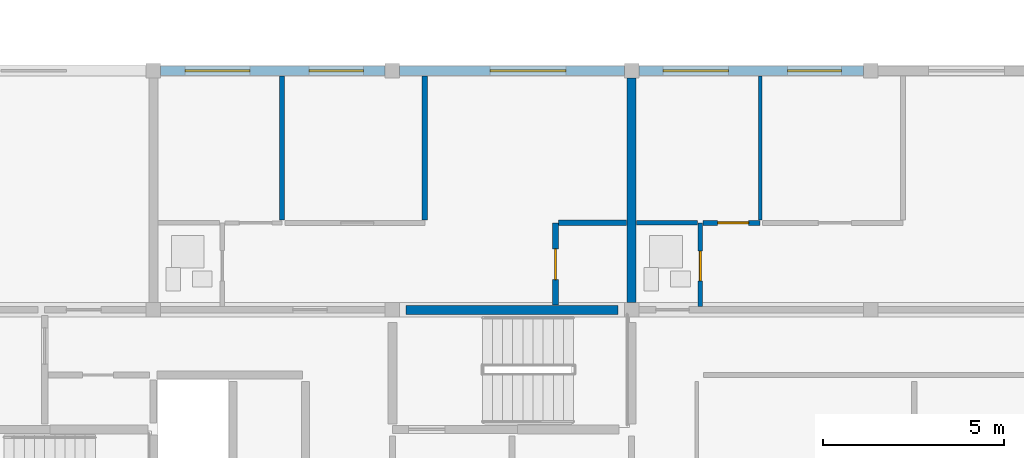
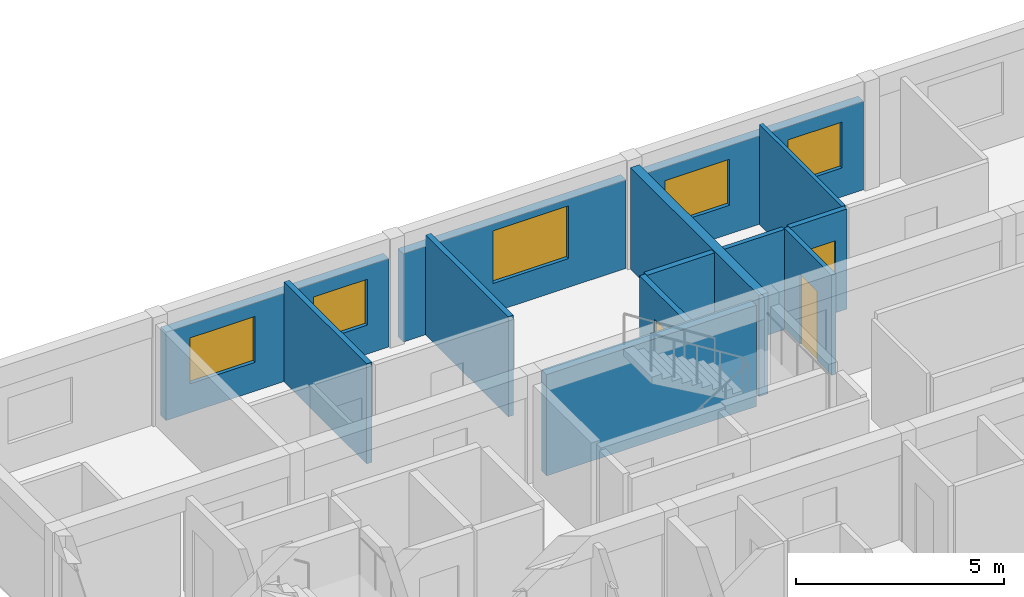
# One storey, part 26 of 34: 13 walls, 5 windows, 3 doors, 8 openings.
"""IFC4 building model written with IfcOpenShell, lengths in metres."""

from ifc_helpers import new_model, si_unit, direction, frame, frame_2d, origin, place, context, subcontext, project, spatial, rectangle, extrude, material, layer, layer_set, type_object, element, fill, save


model = new_model("IFC4")

# Units and contexts
model_context = context("Model", 3, precision=1e-05, world=origin(), true_north=direction((0.0, 1.0)))
body_context = subcontext(model_context, "Body", "Model", "MODEL_VIEW")
ifc_project = project(units=[si_unit("LENGTHUNIT", "METRE"), si_unit("AREAUNIT", "SQUARE_METRE"), si_unit("VOLUMEUNIT", "CUBIC_METRE"), si_unit("PLANEANGLEUNIT", "RADIAN"), si_unit("MASSUNIT", "GRAM", prefix="KILO")], contexts=[model_context])

# Site, building, storey
site_placement = place(None, origin())
site = spatial("IfcSite", under=ifc_project, at=site_placement, CompositionType="ELEMENT")
building_placement = place(site_placement, origin())
building = spatial("IfcBuilding", under=site, at=building_placement, Name="Kernevlak Ridge Housing Community", CompositionType="ELEMENT")
storey_placement = place(building_placement, frame((0.0, 0.0, 40.39990234375)))
storey = spatial("IfcBuildingStorey", under=building, at=storey_placement, Name="L12", CompositionType="ELEMENT", Elevation=40.39990234375)

# Wall, openings, windows
ifc_material_1 = material(Name="Concrete block masonry M10", Category="masonry")
ifc_layer_1 = layer(ifc_material_1, 0.260009765625, Name="Concrete block masonry M10")
ifc_layer_set_1 = layer_set([ifc_layer_1], Name="Concrete block masonry M10")
wall_type_1 = type_object("IfcWallType", Name="EW-05", PredefinedType="STANDARD", material=ifc_layer_set_1)
wall_1_placement = place(storey_placement, frame((126.199951171875, 102.39990234375, 0.0), z_axis=(0.0, 0.0, 1.0), x_axis=(1.0, 0.0, 0.0)))
wall_1 = element("IfcWall", 1, at=wall_1_placement, inside=storey, type_object=wall_type_1, Name="Exterior wall EW-05 L12 489", PredefinedType="STANDARD", context=body_context, shape_type="SweptSolid", body=[
    extrude(rectangle(XDim=6.199951171875, YDim=0.260009765625, at=frame_2d((3.10009765625, 0.0))), origin(), (0.0, 0.0, 1.0), 2.60009765625),
])
opening_1_placement = place(wall_1_placement, frame((0.675048828125, 0.0, 0.85009765625)))
opening_1 = element("IfcOpeningElement", 2, at=opening_1_placement, cuts=wall_1, Name="Opening WT-03", PredefinedType="OPENING", context=body_context, shape_type="SweptSolid", body=[
    extrude(rectangle(XDim=1.800048828125, YDim=1.35009765625, at=frame_2d((0.89990234375, 0.675048828125))), frame((0.0, 0.139892578125, 0.0), z_axis=(0.0, -1.0, 0.0), x_axis=(1.0, 0.0, 0.0)), (0.0, 0.0, 1.0), 0.280029296875),
])
opening_2_placement = place(wall_1_placement, frame((4.10009765625, 0.0, 0.85009765625)))
opening_2 = element("IfcOpeningElement", 3, at=opening_2_placement, cuts=wall_1, Name="Opening WT-02", PredefinedType="OPENING", context=body_context, shape_type="SweptSolid", body=[
    extrude(rectangle(XDim=1.5, YDim=1.35009765625, at=frame_2d((0.75, 0.675048828125))), frame((0.0, 0.139892578125, 0.0), z_axis=(0.0, -1.0, 0.0), x_axis=(1.0, 0.0, 0.0)), (0.0, 0.0, 1.0), 0.280029296875),
])
ifc_material_2 = material(Name="Aluminium EN AW-6060 anodised and laminated glass", Category="aluminium")
window_type_1 = type_object("IfcWindowType", Name="WT-02", PartitioningType="SINGLE_PANEL", PredefinedType="WINDOW", material=ifc_material_2)
window_1_placement = place(opening_2_placement, origin())
window_1 = element("IfcWindow", 4, at=window_1_placement, inside=storey, type_object=window_type_1, Name="Window WT-02 L12 382", OverallHeight=1.35009765625, OverallWidth=1.5, PartitioningType="SINGLE_PANEL", PredefinedType="WINDOW", context=body_context, shape_type="SweptSolid", body=[
    extrude(rectangle(XDim=1.5, YDim=1.35009765625, at=frame_2d((0.75, 0.675048828125))), frame((0.0, 0.030029296875, 0.0), z_axis=(0.0, -1.0, 0.0), x_axis=(1.0, 0.0, 0.0)), (0.0, 0.0, 1.0), 0.06005859375),
])
fill(opening_2, window_1)
window_type_2 = type_object("IfcWindowType", Name="WT-03", PartitioningType="SINGLE_PANEL", PredefinedType="WINDOW", material=ifc_material_2)
window_2_placement = place(opening_1_placement, origin())
window_2 = element("IfcWindow", 5, at=window_2_placement, inside=storey, type_object=window_type_2, Name="Window WT-03 L12 381", OverallHeight=1.35009765625, OverallWidth=1.800048828125, PartitioningType="SINGLE_PANEL", PredefinedType="WINDOW", context=body_context, shape_type="SweptSolid", body=[
    extrude(rectangle(XDim=1.800048828125, YDim=1.35009765625, at=frame_2d((0.89990234375, 0.675048828125))), frame((0.0, 0.030029296875, 0.0), z_axis=(0.0, -1.0, 0.0), x_axis=(1.0, 0.0, 0.0)), (0.0, 0.0, 1.0), 0.06005859375),
])
fill(opening_1, window_2)

# Wall, opening, window
wall_2_placement = place(storey_placement, frame((132.800048828125, 102.39990234375, 0.0), z_axis=(0.0, 0.0, 1.0), x_axis=(1.0, 0.0, 0.0)))
wall_2 = element("IfcWall", 6, at=wall_2_placement, inside=storey, type_object=wall_type_1, Name="Exterior wall EW-05 L12 490", PredefinedType="STANDARD", context=body_context, shape_type="SweptSolid", body=[
    extrude(rectangle(XDim=6.199951171875, YDim=0.260009765625, at=frame_2d((3.10009765625, 0.0))), origin(), (0.0, 0.0, 1.0), 2.60009765625),
])
opening_3_placement = place(wall_2_placement, frame((2.49609375, 0.0, 0.85009765625)))
opening_3 = element("IfcOpeningElement", 7, at=opening_3_placement, cuts=wall_2, Name="Opening WT-05", PredefinedType="OPENING", context=body_context, shape_type="SweptSolid", body=[
    extrude(rectangle(XDim=2.10009765625, YDim=1.550048828125, at=frame_2d((1.050048828125, 0.77490234375))), frame((0.0, 0.139892578125, 0.0), z_axis=(0.0, -1.0, 0.0), x_axis=(1.0, 0.0, 0.0)), (0.0, 0.0, 1.0), 0.280029296875),
])
window_type_3 = type_object("IfcWindowType", Name="WT-05", PartitioningType="SINGLE_PANEL", PredefinedType="WINDOW", material=ifc_material_2)
window_3_placement = place(opening_3_placement, origin())
window_3 = element("IfcWindow", 8, at=window_3_placement, inside=storey, type_object=window_type_3, Name="Window WT-05 L12 383", OverallHeight=1.550048828125, OverallWidth=2.10009765625, PartitioningType="SINGLE_PANEL", PredefinedType="WINDOW", context=body_context, shape_type="SweptSolid", body=[
    extrude(rectangle(XDim=2.10009765625, YDim=1.550048828125, at=frame_2d((1.050048828125, 0.77490234375))), frame((0.0, 0.030029296875, 0.0), z_axis=(0.0, -1.0, 0.0), x_axis=(1.0, 0.0, 0.0)), (0.0, 0.0, 1.0), 0.06005859375),
])
fill(opening_3, window_3)

# Wall, openings, windows
wall_3_placement = place(storey_placement, frame((139.39990234375, 102.39990234375, 0.0), z_axis=(0.0, 0.0, 1.0), x_axis=(1.0, 0.0, 0.0)))
wall_3 = element("IfcWall", 9, at=wall_3_placement, inside=storey, type_object=wall_type_1, Name="Exterior wall EW-05 L12 491", PredefinedType="STANDARD", context=body_context, shape_type="SweptSolid", body=[
    extrude(rectangle(XDim=6.2001953125, YDim=0.260009765625, at=frame_2d((3.10009765625, 0.0))), origin(), (0.0, 0.0, 1.0), 2.60009765625),
])
opening_4_placement = place(wall_3_placement, frame((0.675048828125, 0.0, 0.85009765625)))
opening_4 = element("IfcOpeningElement", 10, at=opening_4_placement, cuts=wall_3, Name="Opening WT-03", PredefinedType="OPENING", context=body_context, shape_type="SweptSolid", body=[
    extrude(rectangle(XDim=1.800048828125, YDim=1.35009765625, at=frame_2d((0.89990234375, 0.675048828125))), frame((0.0, 0.139892578125, 0.0), z_axis=(0.0, -1.0, 0.0), x_axis=(1.0, 0.0, 0.0)), (0.0, 0.0, 1.0), 0.280029296875),
])
opening_5_placement = place(wall_3_placement, frame((4.10009765625, 0.0, 0.85009765625)))
opening_5 = element("IfcOpeningElement", 11, at=opening_5_placement, cuts=wall_3, Name="Opening WT-02", PredefinedType="OPENING", context=body_context, shape_type="SweptSolid", body=[
    extrude(rectangle(XDim=1.5, YDim=1.35009765625, at=frame_2d((0.75, 0.675048828125))), frame((0.0, 0.139892578125, 0.0), z_axis=(0.0, -1.0, 0.0), x_axis=(1.0, 0.0, 0.0)), (0.0, 0.0, 1.0), 0.280029296875),
])
window_4_placement = place(opening_5_placement, origin())
window_4 = element("IfcWindow", 12, at=window_4_placement, inside=storey, type_object=window_type_1, Name="Window WT-02 L12 385", OverallHeight=1.35009765625, OverallWidth=1.5, PartitioningType="SINGLE_PANEL", PredefinedType="WINDOW", context=body_context, shape_type="SweptSolid", body=[
    extrude(rectangle(XDim=1.5, YDim=1.35009765625, at=frame_2d((0.75, 0.675048828125))), frame((0.0, 0.030029296875, 0.0), z_axis=(0.0, -1.0, 0.0), x_axis=(1.0, 0.0, 0.0)), (0.0, 0.0, 1.0), 0.06005859375),
])
fill(opening_5, window_4)
window_5_placement = place(opening_4_placement, origin())
window_5 = element("IfcWindow", 13, at=window_5_placement, inside=storey, type_object=window_type_2, Name="Window WT-03 L12 384", OverallHeight=1.35009765625, OverallWidth=1.800048828125, PartitioningType="SINGLE_PANEL", PredefinedType="WINDOW", context=body_context, shape_type="SweptSolid", body=[
    extrude(rectangle(XDim=1.800048828125, YDim=1.35009765625, at=frame_2d((0.89990234375, 0.675048828125))), frame((0.0, 0.030029296875, 0.0), z_axis=(0.0, -1.0, 0.0), x_axis=(1.0, 0.0, 0.0)), (0.0, 0.0, 1.0), 0.06005859375),
])
fill(opening_4, window_5)

# Walls
ifc_layer_2 = layer(ifc_material_1, 0.14501953125, Name="Concrete block masonry M10")
ifc_layer_set_2 = layer_set([ifc_layer_2], Name="Concrete block masonry M10")
wall_type_2 = type_object("IfcWallType", Name="PW-03", PredefinedType="PARTITIONING", material=ifc_layer_set_2)
wall_4_placement = place(storey_placement, frame((129.550048828125, 98.280029296875, 0.0), z_axis=(0.0, 0.0, 1.0), x_axis=(0.0, 1.0, 0.0)))
element("IfcWall", 14, at=wall_4_placement, inside=storey, type_object=wall_type_2, Name="Interior wall PW-03 WAL-INT-L12-1942", PredefinedType="PARTITIONING", context=body_context, shape_type="SweptSolid", body=[
    extrude(rectangle(XDim=3.97998046875, YDim=0.14501953125, at=frame_2d((1.989990234375, 0.0))), origin(), (0.0, 0.0, 1.0), 2.945068359375),
])
wall_5_placement = place(storey_placement, frame((133.491943359375, 98.282470703125, 0.0), z_axis=(0.0, 0.0, 1.0), x_axis=(0.0, 1.0, 0.0)))
element("IfcWall", 15, at=wall_5_placement, inside=storey, type_object=wall_type_2, Name="Interior wall PW-03 WAL-INT-L12-1944", PredefinedType="PARTITIONING", context=body_context, shape_type="SweptSolid", body=[
    extrude(rectangle(XDim=3.9775390625, YDim=0.14501953125, at=frame_2d((1.98876953125, 0.0))), origin(), (0.0, 0.0, 1.0), 2.945068359375),
])

# Wall, opening, door
wall_6_placement = place(storey_placement, frame((141.172607421875, 98.199951171875, 0.0), z_axis=(0.0, 0.0, 1.0), x_axis=(1.0, 0.0, 0.0)))
wall_6 = element("IfcWall", 16, at=wall_6_placement, inside=storey, type_object=wall_type_2, Name="Interior wall PW-03 WAL-INT-L12-1950", PredefinedType="PARTITIONING", context=body_context, shape_type="SweptSolid", body=[
    extrude(rectangle(XDim=1.577392578125, YDim=0.14501953125, at=frame_2d((0.78857421875, 0.0))), origin(), (0.0, 0.0, 1.0), 2.945068359375),
])
opening_6_placement = place(wall_6_placement, frame((0.39990234375, 0.0, 0.0)))
opening_6 = element("IfcOpeningElement", 17, at=opening_6_placement, cuts=wall_6, Name="Opening D988", PredefinedType="OPENING", context=body_context, shape_type="SweptSolid", body=[
    extrude(rectangle(XDim=0.860107421875, YDim=2.1201171875, at=frame_2d((0.43017578125, 1.06005859375))), frame((0.0, 0.08251953125, 0.0), z_axis=(0.0, -1.0, 0.0), x_axis=(1.0, 0.0, 0.0)), (0.0, 0.0, 1.0), 0.1650390625),
])
ifc_material_3 = material(Name="Hardwood timber leaf", Category="wood")
door_type_1 = type_object("IfcDoorType", Name="DT-28", OperationType="NOTDEFINED", PredefinedType="DOOR", material=ifc_material_3)
door_1_placement = place(opening_6_placement, origin())
door_1 = element("IfcDoor", 18, at=door_1_placement, inside=storey, type_object=door_type_1, Name="Flat B1223 bedroom door D988", OperationType="SINGLE_SWING_RIGHT", OverallHeight=2.1201171875, OverallWidth=0.860107421875, PredefinedType="DOOR", context=body_context, shape_type="SweptSolid", body=[
    extrude(rectangle(XDim=0.860107421875, YDim=2.1201171875, at=frame_2d((0.43017578125, 1.06005859375))), frame((0.0, 0.02490234375, 0.0), z_axis=(0.0, -1.0, 0.0), x_axis=(1.0, 0.0, 0.0)), (0.0, 0.0, 1.0), 0.050048828125),
])
fill(opening_6, door_1)

ifc_material_4 = material(Name="Gypsum plasterboard EN 520", Category="gypsum")
ifc_layer_3 = layer(ifc_material_4, 0.125, Name="Gypsum plasterboard EN 520")
ifc_layer_set_3 = layer_set([ifc_layer_3], Name="Gypsum plasterboard EN 520")
wall_type_3 = type_object("IfcWallType", Name="PW-04", PredefinedType="PARTITIONING", material=ifc_layer_set_3)
wall_7_placement = place(storey_placement, frame((141.10009765625, 95.8974609375, 0.0), z_axis=(0.0, 0.0, 1.0), x_axis=(0.0, 1.0, 0.0)))
wall_7 = element("IfcWall", 19, at=wall_7_placement, inside=storey, type_object=wall_type_3, Name="Interior wall PW-04 WAL-INT-L12-1946", PredefinedType="PARTITIONING", context=body_context, shape_type="SweptSolid", body=[
    extrude(rectangle(XDim=2.302490234375, YDim=0.125, at=frame_2d((1.1513671875, 0.0))), origin(), (0.0, 0.0, 1.0), 2.945068359375),
])
opening_7_placement = place(wall_7_placement, frame((0.699951171875, 0.0, 0.0)))
opening_7 = element("IfcOpeningElement", 20, at=opening_7_placement, cuts=wall_7, Name="Opening D986", PredefinedType="OPENING", context=body_context, shape_type="SweptSolid", body=[
    extrude(rectangle(XDim=0.820068359375, YDim=2.050048828125, at=frame_2d((0.41015625, 1.02490234375))), frame((0.0, 0.072509765625, 0.0), z_axis=(0.0, -1.0, 0.0), x_axis=(1.0, 0.0, 0.0)), (0.0, 0.0, 1.0), 0.14501953125),
])
ifc_material_5 = material(Name="Hardwood timber moisture-resistant leaf", Category="wood")
door_type_2 = type_object("IfcDoorType", Name="DT-30", OperationType="NOTDEFINED", PredefinedType="DOOR", material=ifc_material_5)
door_2_placement = place(opening_7_placement, origin())
door_2 = element("IfcDoor", 21, at=door_2_placement, inside=storey, type_object=door_type_2, Name="Flat B1223 bathroom door D986", OperationType="SINGLE_SWING_RIGHT", OverallHeight=2.050048828125, OverallWidth=0.820068359375, PredefinedType="DOOR", context=body_context, shape_type="SweptSolid", body=[
    extrude(rectangle(XDim=0.820068359375, YDim=2.050048828125, at=frame_2d((0.41015625, 1.02490234375))), frame((0.0, 0.02490234375, 0.0), z_axis=(0.0, -1.0, 0.0), x_axis=(1.0, 0.0, 0.0)), (0.0, 0.0, 1.0), 0.050048828125),
])
fill(opening_7, door_2)

# Wall
wall_8_placement = place(storey_placement, frame((139.3349609375, 98.199951171875, 0.0), z_axis=(0.0, 0.0, 1.0), x_axis=(1.0, 0.0, 0.0)))
element("IfcWall", 22, at=wall_8_placement, inside=storey, type_object=wall_type_3, Name="Interior wall PW-04 WAL-INT-L12-1947", PredefinedType="PARTITIONING", context=body_context, shape_type="SweptSolid", body=[
    extrude(rectangle(XDim=1.68505859375, YDim=0.125, at=frame_2d((0.842529296875, 0.0))), origin(), (0.0, 0.0, 1.0), 2.945068359375),
])

# Wall, opening, door
ifc_layer_4 = layer(ifc_material_4, 0.155029296875, Name="Gypsum plasterboard EN 520")
ifc_layer_set_4 = layer_set([ifc_layer_4], Name="Gypsum plasterboard EN 520")
wall_type_4 = type_object("IfcWallType", Name="PW-05", PredefinedType="PARTITIONING", material=ifc_layer_set_4)
wall_9_placement = place(storey_placement, frame((137.10009765625, 95.93505859375, 0.0), z_axis=(0.0, 0.0, 1.0), x_axis=(0.0, 1.0, 0.0)))
wall_9 = element("IfcWall", 23, at=wall_9_placement, inside=storey, type_object=wall_type_4, Name="Interior wall PW-05 WAL-INT-L12-1939", PredefinedType="PARTITIONING", context=body_context, shape_type="SweptSolid", body=[
    extrude(rectangle(XDim=2.264892578125, YDim=0.155029296875, at=frame_2d((1.13232421875, 0.0))), origin(), (0.0, 0.0, 1.0), 2.945068359375),
])
opening_8_placement = place(wall_9_placement, frame((0.699951171875, 0.0, 0.0)))
opening_8 = element("IfcOpeningElement", 24, at=opening_8_placement, cuts=wall_9, Name="Opening D982", PredefinedType="OPENING", context=body_context, shape_type="SweptSolid", body=[
    extrude(rectangle(XDim=0.85009765625, YDim=2.10009765625, at=frame_2d((0.425048828125, 1.050048828125))), frame((0.0, 0.08740234375, 0.0), z_axis=(0.0, -1.0, 0.0), x_axis=(1.0, 0.0, 0.0)), (0.0, 0.0, 1.0), 0.175048828125),
])
door_type_3 = type_object("IfcDoorType", Name="DT-03", OperationType="NOTDEFINED", PredefinedType="DOOR", material=ifc_material_3)
door_3_placement = place(opening_8_placement, origin())
door_3 = element("IfcDoor", 25, at=door_3_placement, inside=storey, type_object=door_type_3, Name="Flat B1222 kitchen door D982", OperationType="SINGLE_SWING_RIGHT", OverallHeight=2.10009765625, OverallWidth=0.85009765625, PredefinedType="DOOR", context=body_context, shape_type="SweptSolid", body=[
    extrude(rectangle(XDim=0.85009765625, YDim=2.10009765625, at=frame_2d((0.425048828125, 1.050048828125))), frame((0.0, 0.02490234375, 0.0), z_axis=(0.0, -1.0, 0.0), x_axis=(1.0, 0.0, 0.0)), (0.0, 0.0, 1.0), 0.050048828125),
])
fill(opening_8, door_3)

# Walls
wall_10_placement = place(storey_placement, frame((137.1875, 98.199951171875, 0.0), z_axis=(0.0, 0.0, 1.0), x_axis=(1.0, 0.0, 0.0)))
element("IfcWall", 26, at=wall_10_placement, inside=storey, type_object=wall_type_4, Name="Interior wall PW-05 WAL-INT-L12-1940", PredefinedType="PARTITIONING", context=body_context, shape_type="SweptSolid", body=[
    extrude(rectangle(XDim=1.87744140625, YDim=0.155029296875, at=frame_2d((0.938720703125, 0.0))), origin(), (0.0, 0.0, 1.0), 2.945068359375),
])
ifc_layer_5 = layer(ifc_material_4, 0.10498046875, Name="Gypsum plasterboard EN 520")
ifc_layer_set_5 = layer_set([ifc_layer_5], Name="Gypsum plasterboard EN 520")
wall_type_5 = type_object("IfcWallType", Name="PW-06", PredefinedType="PARTITIONING", material=ifc_layer_set_5)
wall_11_placement = place(storey_placement, frame((142.75, 98.282470703125, 0.0), z_axis=(0.0, 0.0, 1.0), x_axis=(0.0, 1.0, 0.0)))
element("IfcWall", 27, at=wall_11_placement, inside=storey, type_object=wall_type_5, Name="Interior wall PW-06 WAL-INT-L12-1951", PredefinedType="PARTITIONING", context=body_context, shape_type="SweptSolid", body=[
    extrude(rectangle(XDim=3.9775390625, YDim=0.10498046875, at=frame_2d((1.98876953125, 0.0))), origin(), (0.0, 0.0, 1.0), 2.945068359375),
])
ifc_material_6 = material(Name="Concrete C40/50", Category="concrete")
ifc_layer_6 = layer(ifc_material_6, 0.25, Name="Concrete C40/50")
ifc_layer_set_6 = layer_set([ifc_layer_6], Name="Concrete C40/50")
wall_type_6 = type_object("IfcWallType", Name="SW-03", PredefinedType="SHEAR", material=ifc_layer_set_6)
wall_12_placement = place(storey_placement, frame((132.97998046875, 95.800048828125, 0.0), z_axis=(0.0, 0.0, 1.0), x_axis=(1.0, 0.0, 0.0)))
element("IfcWall", 28, at=wall_12_placement, inside=storey, type_object=wall_type_6, Name="Shear wall SW-03 Block B L12 334", PredefinedType="SHEAR", context=body_context, shape_type="SweptSolid", body=[
    extrude(rectangle(XDim=5.840087890625, YDim=0.25, at=frame_2d((2.919921875, 0.0))), origin(), (0.0, 0.0, 1.0), 2.97998046875),
])
wall_13_placement = place(storey_placement, frame((139.199951171875, 96.0, 0.0), z_axis=(0.0, 0.0, 1.0), x_axis=(0.0, 1.0, 0.0)))
element("IfcWall", 29, at=wall_13_placement, inside=storey, type_object=wall_type_6, Name="Shear wall SW-03 Block B L12 340", PredefinedType="SHEAR", context=body_context, shape_type="SweptSolid", body=[
    extrude(rectangle(XDim=6.199951171875, YDim=0.25, at=frame_2d((3.10009765625, 0.0))), origin(), (0.0, 0.0, 1.0), 2.97998046875),
])

save(model, "model.ifc")
